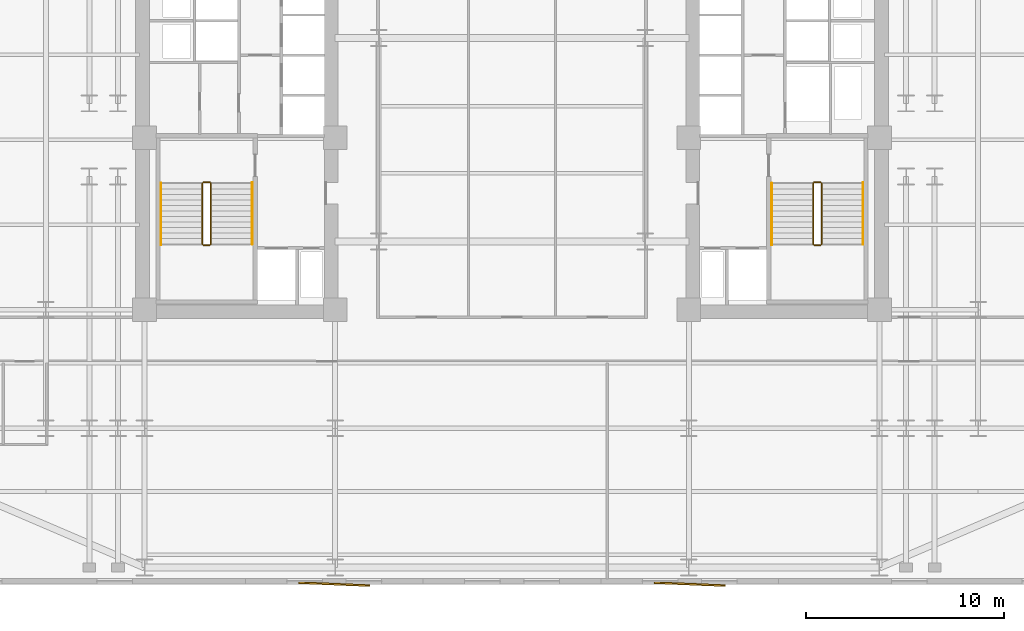
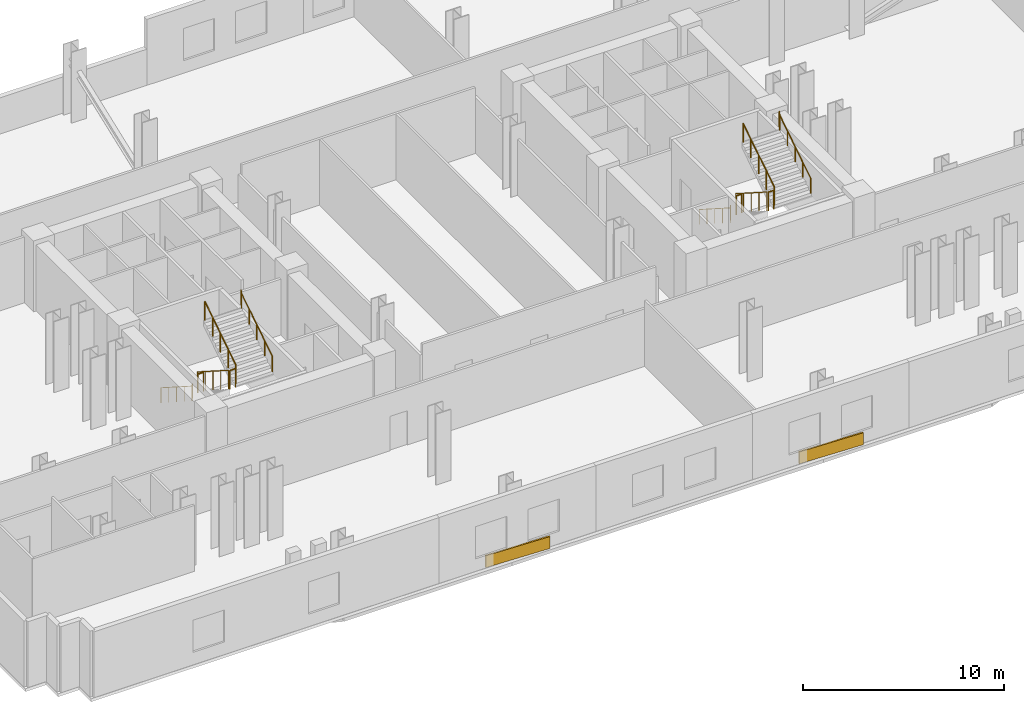
# One storey, part 8 of 9: 12 railings, 2 coverings.
"""IFC4 building model written with IfcOpenShell, lengths in metres."""

from ifc_helpers import new_model, si_unit, direction, frame, origin, origin_2d, place, context, subcontext, project, spatial, rectangle, circle, extrude, material, layer, layer_set, type_object, element, save


model = new_model("IFC4")

# Units and contexts
model_context = context("Model", 3, precision=1e-05, world=origin(), true_north=direction((0.0, 1.0)))
body_context = subcontext(model_context, "Body", "Model", "MODEL_VIEW")
ifc_project = project(units=[si_unit("LENGTHUNIT", "METRE"), si_unit("AREAUNIT", "SQUARE_METRE"), si_unit("VOLUMEUNIT", "CUBIC_METRE"), si_unit("PLANEANGLEUNIT", "RADIAN"), si_unit("MASSUNIT", "GRAM", prefix="KILO")], contexts=[model_context])

# Site, building, storey
site_placement = place(None, origin())
site = spatial("IfcSite", under=ifc_project, at=site_placement, CompositionType="ELEMENT")
building_placement = place(site_placement, origin())
building = spatial("IfcBuilding", under=site, at=building_placement, Name="Velakula Bourse", CompositionType="ELEMENT")
storey_placement = place(building_placement, frame((0.0, 0.0, 65.699951171875)))
storey = spatial("IfcBuildingStorey", under=building, at=storey_placement, Name="L17", CompositionType="ELEMENT", Elevation=65.699951171875)

# Coverings
ifc_material_1 = material(Name="Red kilned clay facing brick masonry", Category="masonry")
ifc_layer = layer(ifc_material_1, 0.090087890625, Name="Red kilned clay facing brick masonry", Category="masonry")
ifc_layer_set = layer_set([ifc_layer], Name="Red kilned clay facing brick masonry")
covering_type = type_object("IfcCoveringType", Name="COV-BRK-FOLD-90", PredefinedType="CLADDING", material=ifc_layer_set)
for number, where, z_axis, x_axis, name in (
    (1, (-9.0, -22.489990234375, 0.0), (0.0, 0.0, 1.0), (0.999158993058, -0.041003738744, 0.0), "L17 Folded Brick Facade Cladding Panel S-B2"),
    (2, (9.0, -22.489990234375, 0.0), (0.0, 0.0, 1.0), (0.999158993058, -0.041003738744, 0.0), "L17 Folded Brick Facade Cladding Panel S-B4"),
):
    element("IfcCovering", number, at=place(storey_placement, frame(where, z_axis=z_axis, x_axis=x_axis)), inside=storey, type_object=covering_type, Name=name, PredefinedType="CLADDING", context=body_context, shape_type="SweptSolid", body=[
        extrude(rectangle(XDim=3.60009765625, YDim=0.090087890625, at=origin_2d()), origin(), (0.0, 0.0, 1.0), 0.719970703125),
    ])

# Railings
ifc_material_2 = material(Name="Brushed grade 316 stainless steel", Category="steel")
railing_type_1 = type_object("IfcRailingType", Name="RLG-STAIR-GUARD-1150", PredefinedType="BALUSTRADE", material=ifc_material_2)
railing_1_placement = place(storey_placement, frame((-15.672119140625, -2.199951171875, 0.17919921875)))
element("IfcRailing", 3, at=railing_1_placement, inside=storey, type_object=railing_type_1, Name="L17 ST-W1 stair guard 1", PredefinedType="BALUSTRADE", context=body_context, shape_type="SweptSolid", body=[
    extrude(circle(Radius=0.02490234375, at=origin_2d()), frame((0.0, 0.0, 1.125), z_axis=(0.0, -0.842308987159, 0.53899496301), x_axis=(1.0, 0.0, 0.0)), (0.0, 0.0, 1.0), 3.65673828125),
    extrude(circle(Radius=0.02099609375, at=origin_2d()), origin(), (0.0, 0.0, 1.0), 1.099853515625),
    extrude(circle(Radius=0.02099609375, at=origin_2d()), frame((0.0, -0.77001953125, 0.49267578125)), (0.0, 0.0, 1.0), 1.099853515625),
    extrude(circle(Radius=0.02099609375, at=origin_2d()), frame((0.0, -1.5400390625, 0.9853515625)), (0.0, 0.0, 1.0), 1.099853515625),
    extrude(circle(Radius=0.02099609375, at=origin_2d()), frame((0.0, -2.31005859375, 1.478271484375)), (0.0, 0.0, 1.0), 1.099853515625),
    extrude(circle(Radius=0.02099609375, at=origin_2d()), frame((0.0, -3.080078125, 1.970947265625)), (0.0, 0.0, 1.0), 1.099853515625),
])
railing_2_placement = place(storey_placement, frame((-15.6220703125, -5.330078125, 2.150146484375)))
element("IfcRailing", 4, at=railing_2_placement, inside=storey, type_object=railing_type_1, Name="L17 ST-W1 stair guard 2", PredefinedType="BALUSTRADE", context=body_context, shape_type="SweptSolid", body=[
    extrude(circle(Radius=0.02490234375, at=origin_2d()), frame((0.0, 0.0, 1.125), z_axis=(1.0, 0.0, 0.0), x_axis=(0.0, 1.0, 0.0)), (0.0, 0.0, 1.0), 0.323974609375),
    extrude(circle(Radius=0.02099609375, at=origin_2d()), origin(), (0.0, 0.0, 1.0), 1.099853515625),
    extrude(circle(Radius=0.02099609375, at=origin_2d()), frame((0.323974609375, 0.0, 0.0)), (0.0, 0.0, 1.0), 1.099853515625),
])
railing_3_placement = place(storey_placement, frame((-15.248046875, -5.280029296875, 2.3291015625)))
element("IfcRailing", 5, at=railing_3_placement, inside=storey, type_object=railing_type_1, Name="L17 ST-W1 stair guard 3", PredefinedType="BALUSTRADE", context=body_context, shape_type="SweptSolid", body=[
    extrude(circle(Radius=0.02490234375, at=origin_2d()), frame((0.0, 0.0, 1.125), z_axis=(0.0, 0.842308987159, 0.53899496301), x_axis=(-1.0, 0.0, 0.0)), (0.0, 0.0, 1.0), 3.65673828125),
    extrude(circle(Radius=0.02099609375, at=origin_2d()), origin(), (0.0, 0.0, 1.0), 1.099853515625),
    extrude(circle(Radius=0.02099609375, at=origin_2d()), frame((0.0, 0.77001953125, 0.49267578125)), (0.0, 0.0, 1.0), 1.099853515625),
    extrude(circle(Radius=0.02099609375, at=origin_2d()), frame((0.0, 1.5400390625, 0.9853515625)), (0.0, 0.0, 1.0), 1.099853515625),
    extrude(circle(Radius=0.02099609375, at=origin_2d()), frame((0.0, 2.31005859375, 1.478271484375)), (0.0, 0.0, 1.0), 1.099853515625),
    extrude(circle(Radius=0.02099609375, at=origin_2d()), frame((0.0, 3.080078125, 1.970947265625)), (0.0, 0.0, 1.0), 1.099853515625),
])
railing_4_placement = place(storey_placement, frame((-15.6220703125, -2.14990234375, 0.0)))
element("IfcRailing", 6, at=railing_4_placement, inside=storey, type_object=railing_type_1, Name="L17 ST-W1 stair guard 4", PredefinedType="BALUSTRADE", context=body_context, shape_type="SweptSolid", body=[
    extrude(circle(Radius=0.02490234375, at=origin_2d()), frame((0.0, 0.0, 1.125), z_axis=(1.0, 0.0, 0.0), x_axis=(0.0, 1.0, 0.0)), (0.0, 0.0, 1.0), 0.323974609375),
    extrude(circle(Radius=0.02099609375, at=origin_2d()), origin(), (0.0, 0.0, 1.0), 1.099853515625),
    extrude(circle(Radius=0.02099609375, at=origin_2d()), frame((0.323974609375, 0.0, 0.0)), (0.0, 0.0, 1.0), 1.099853515625),
])
railing_5_placement = place(storey_placement, frame((15.248046875, -2.199951171875, 0.17919921875)))
element("IfcRailing", 7, at=railing_5_placement, inside=storey, type_object=railing_type_1, Name="L17 ST-E1 stair guard 1", PredefinedType="BALUSTRADE", context=body_context, shape_type="SweptSolid", body=[
    extrude(circle(Radius=0.02490234375, at=origin_2d()), frame((0.0, 0.0, 1.125), z_axis=(0.0, -0.842308987159, 0.53899496301), x_axis=(1.0, 0.0, 0.0)), (0.0, 0.0, 1.0), 3.65673828125),
    extrude(circle(Radius=0.02099609375, at=origin_2d()), origin(), (0.0, 0.0, 1.0), 1.099853515625),
    extrude(circle(Radius=0.02099609375, at=origin_2d()), frame((0.0, -0.77001953125, 0.49267578125)), (0.0, 0.0, 1.0), 1.099853515625),
    extrude(circle(Radius=0.02099609375, at=origin_2d()), frame((0.0, -1.5400390625, 0.9853515625)), (0.0, 0.0, 1.0), 1.099853515625),
    extrude(circle(Radius=0.02099609375, at=origin_2d()), frame((0.0, -2.31005859375, 1.478271484375)), (0.0, 0.0, 1.0), 1.099853515625),
    extrude(circle(Radius=0.02099609375, at=origin_2d()), frame((0.0, -3.080078125, 1.970947265625)), (0.0, 0.0, 1.0), 1.099853515625),
])
railing_6_placement = place(storey_placement, frame((15.298095703125, -5.330078125, 2.150146484375)))
element("IfcRailing", 8, at=railing_6_placement, inside=storey, type_object=railing_type_1, Name="L17 ST-E1 stair guard 2", PredefinedType="BALUSTRADE", context=body_context, shape_type="SweptSolid", body=[
    extrude(circle(Radius=0.02490234375, at=origin_2d()), frame((0.0, 0.0, 1.125), z_axis=(1.0, 0.0, 0.0), x_axis=(0.0, 1.0, 0.0)), (0.0, 0.0, 1.0), 0.323974609375),
    extrude(circle(Radius=0.02099609375, at=origin_2d()), origin(), (0.0, 0.0, 1.0), 1.099853515625),
    extrude(circle(Radius=0.02099609375, at=origin_2d()), frame((0.323974609375, 0.0, 0.0)), (0.0, 0.0, 1.0), 1.099853515625),
])
railing_7_placement = place(storey_placement, frame((15.672119140625, -5.280029296875, 2.3291015625)))
element("IfcRailing", 9, at=railing_7_placement, inside=storey, type_object=railing_type_1, Name="L17 ST-E1 stair guard 3", PredefinedType="BALUSTRADE", context=body_context, shape_type="SweptSolid", body=[
    extrude(circle(Radius=0.02490234375, at=origin_2d()), frame((0.0, 0.0, 1.125), z_axis=(0.0, 0.842308987159, 0.53899496301), x_axis=(-1.0, 0.0, 0.0)), (0.0, 0.0, 1.0), 3.65673828125),
    extrude(circle(Radius=0.02099609375, at=origin_2d()), origin(), (0.0, 0.0, 1.0), 1.099853515625),
    extrude(circle(Radius=0.02099609375, at=origin_2d()), frame((0.0, 0.77001953125, 0.49267578125)), (0.0, 0.0, 1.0), 1.099853515625),
    extrude(circle(Radius=0.02099609375, at=origin_2d()), frame((0.0, 1.5400390625, 0.9853515625)), (0.0, 0.0, 1.0), 1.099853515625),
    extrude(circle(Radius=0.02099609375, at=origin_2d()), frame((0.0, 2.31005859375, 1.478271484375)), (0.0, 0.0, 1.0), 1.099853515625),
    extrude(circle(Radius=0.02099609375, at=origin_2d()), frame((0.0, 3.080078125, 1.970947265625)), (0.0, 0.0, 1.0), 1.099853515625),
])
railing_8_placement = place(storey_placement, frame((15.298095703125, -2.14990234375, 0.0)))
element("IfcRailing", 10, at=railing_8_placement, inside=storey, type_object=railing_type_1, Name="L17 ST-E1 stair guard 4", PredefinedType="BALUSTRADE", context=body_context, shape_type="SweptSolid", body=[
    extrude(circle(Radius=0.02490234375, at=origin_2d()), frame((0.0, 0.0, 1.125), z_axis=(1.0, 0.0, 0.0), x_axis=(0.0, 1.0, 0.0)), (0.0, 0.0, 1.0), 0.323974609375),
    extrude(circle(Radius=0.02099609375, at=origin_2d()), origin(), (0.0, 0.0, 1.0), 1.099853515625),
    extrude(circle(Radius=0.02099609375, at=origin_2d()), frame((0.323974609375, 0.0, 0.0)), (0.0, 0.0, 1.0), 1.099853515625),
])
railing_type_2 = type_object("IfcRailingType", Name="RLG-STAIR-HAND-920", PredefinedType="HANDRAIL", material=ifc_material_2)
railing_9_placement = place(storey_placement, frame((-17.77001953125, -2.199951171875, 0.17919921875)))
element("IfcRailing", 11, at=railing_9_placement, inside=storey, type_object=railing_type_2, Name="L17 ST-W1 stair handrail 1", PredefinedType="HANDRAIL", context=body_context, shape_type="SweptSolid", body=[
    extrude(circle(Radius=0.02099609375, at=origin_2d()), frame((0.0, 0.0, 0.89892578125), z_axis=(0.0, -0.842308987159, 0.53899496301), x_axis=(1.0, 0.0, 0.0)), (0.0, 0.0, 1.0), 3.65673828125),
    extrude(circle(Radius=0.02099609375, at=origin_2d()), frame((0.0, -3.080078125, 2.869873046875), z_axis=(0.0, -0.218339886576, 0.975872785731), x_axis=(1.0, 0.0, 0.0)), (0.0, 0.0, 1.0), 0.183349609375),
    extrude(circle(Radius=0.02099609375, at=origin_2d()), frame((0.0, -3.1201171875, 3.048828125), z_axis=(0.0, -1.0, 0.0), x_axis=(1.0, 0.0, 0.0)), (0.0, 0.0, 1.0), 0.0048828125),
    extrude(circle(Radius=0.02099609375, at=origin_2d()), origin(), (0.0, 0.0, 1.0), 0.8779296875),
    extrude(circle(Radius=0.02099609375, at=origin_2d()), frame((0.0, -0.77001953125, 0.49267578125)), (0.0, 0.0, 1.0), 0.8779296875),
    extrude(circle(Radius=0.02099609375, at=origin_2d()), frame((0.0, -1.5400390625, 0.9853515625)), (0.0, 0.0, 1.0), 0.8779296875),
    extrude(circle(Radius=0.02099609375, at=origin_2d()), frame((0.0, -2.31005859375, 1.478271484375)), (0.0, 0.0, 1.0), 0.8779296875),
    extrude(circle(Radius=0.02099609375, at=origin_2d()), frame((0.0, -3.080078125, 1.970947265625)), (0.0, 0.0, 1.0), 0.8779296875),
    extrude(circle(Radius=0.02099609375, at=origin_2d()), frame((0.0, -3.1201171875, 2.14990234375)), (0.0, 0.0, 1.0), 0.8779296875),
    extrude(circle(Radius=0.02099609375, at=origin_2d()), frame((0.0, -3.125, 2.14990234375)), (0.0, 0.0, 1.0), 0.8779296875),
])
railing_10_placement = place(storey_placement, frame((-13.14990234375, -5.280029296875, 2.3291015625)))
element("IfcRailing", 12, at=railing_10_placement, inside=storey, type_object=railing_type_2, Name="L17 ST-W1 stair handrail 2", PredefinedType="HANDRAIL", context=body_context, shape_type="SweptSolid", body=[
    extrude(circle(Radius=0.02099609375, at=origin_2d()), frame((0.0, 0.0, 0.89892578125), z_axis=(0.0, 0.842308987159, 0.53899496301), x_axis=(-1.0, 0.0, 0.0)), (0.0, 0.0, 1.0), 3.65673828125),
    extrude(circle(Radius=0.02099609375, at=origin_2d()), frame((0.0, 3.080078125, 2.869873046875), z_axis=(0.0, 0.218056574081, 0.975936130338), x_axis=(-1.0, 0.0, 0.0)), (0.0, 0.0, 1.0), 0.18359375),
    extrude(circle(Radius=0.02099609375, at=origin_2d()), frame((0.0, 3.1201171875, 3.049072265625), z_axis=(0.0, 1.0, 0.0), x_axis=(-1.0, 0.0, 0.0)), (0.0, 0.0, 1.0), 0.0048828125),
    extrude(circle(Radius=0.02099609375, at=origin_2d()), origin(), (0.0, 0.0, 1.0), 0.8779296875),
    extrude(circle(Radius=0.02099609375, at=origin_2d()), frame((0.0, 0.77001953125, 0.49267578125)), (0.0, 0.0, 1.0), 0.8779296875),
    extrude(circle(Radius=0.02099609375, at=origin_2d()), frame((0.0, 1.5400390625, 0.9853515625)), (0.0, 0.0, 1.0), 0.8779296875),
    extrude(circle(Radius=0.02099609375, at=origin_2d()), frame((0.0, 2.31005859375, 1.478271484375)), (0.0, 0.0, 1.0), 0.8779296875),
    extrude(circle(Radius=0.02099609375, at=origin_2d()), frame((0.0, 3.080078125, 1.970947265625)), (0.0, 0.0, 1.0), 0.8779296875),
    extrude(circle(Radius=0.02099609375, at=origin_2d()), frame((0.0, 3.1201171875, 2.150146484375)), (0.0, 0.0, 1.0), 0.8779296875),
    extrude(circle(Radius=0.02099609375, at=origin_2d()), frame((0.0, 3.125, 2.150146484375)), (0.0, 0.0, 1.0), 0.8779296875),
])
railing_11_placement = place(storey_placement, frame((13.14990234375, -2.199951171875, 0.17919921875)))
element("IfcRailing", 13, at=railing_11_placement, inside=storey, type_object=railing_type_2, Name="L17 ST-E1 stair handrail 1", PredefinedType="HANDRAIL", context=body_context, shape_type="SweptSolid", body=[
    extrude(circle(Radius=0.02099609375, at=origin_2d()), frame((0.0, 0.0, 0.89892578125), z_axis=(0.0, -0.842308987159, 0.53899496301), x_axis=(1.0, 0.0, 0.0)), (0.0, 0.0, 1.0), 3.65673828125),
    extrude(circle(Radius=0.02099609375, at=origin_2d()), frame((0.0, -3.080078125, 2.869873046875), z_axis=(0.0, -0.218339886576, 0.975872785731), x_axis=(1.0, 0.0, 0.0)), (0.0, 0.0, 1.0), 0.183349609375),
    extrude(circle(Radius=0.02099609375, at=origin_2d()), frame((0.0, -3.1201171875, 3.048828125), z_axis=(0.0, -1.0, 0.0), x_axis=(1.0, 0.0, 0.0)), (0.0, 0.0, 1.0), 0.0048828125),
    extrude(circle(Radius=0.02099609375, at=origin_2d()), origin(), (0.0, 0.0, 1.0), 0.8779296875),
    extrude(circle(Radius=0.02099609375, at=origin_2d()), frame((0.0, -0.77001953125, 0.49267578125)), (0.0, 0.0, 1.0), 0.8779296875),
    extrude(circle(Radius=0.02099609375, at=origin_2d()), frame((0.0, -1.5400390625, 0.9853515625)), (0.0, 0.0, 1.0), 0.8779296875),
    extrude(circle(Radius=0.02099609375, at=origin_2d()), frame((0.0, -2.31005859375, 1.478271484375)), (0.0, 0.0, 1.0), 0.8779296875),
    extrude(circle(Radius=0.02099609375, at=origin_2d()), frame((0.0, -3.080078125, 1.970947265625)), (0.0, 0.0, 1.0), 0.8779296875),
    extrude(circle(Radius=0.02099609375, at=origin_2d()), frame((0.0, -3.1201171875, 2.14990234375)), (0.0, 0.0, 1.0), 0.8779296875),
    extrude(circle(Radius=0.02099609375, at=origin_2d()), frame((0.0, -3.125, 2.14990234375)), (0.0, 0.0, 1.0), 0.8779296875),
])
railing_12_placement = place(storey_placement, frame((17.77001953125, -5.280029296875, 2.3291015625)))
element("IfcRailing", 14, at=railing_12_placement, inside=storey, type_object=railing_type_2, Name="L17 ST-E1 stair handrail 2", PredefinedType="HANDRAIL", context=body_context, shape_type="SweptSolid", body=[
    extrude(circle(Radius=0.02099609375, at=origin_2d()), frame((0.0, 0.0, 0.89892578125), z_axis=(0.0, 0.842308987159, 0.53899496301), x_axis=(-1.0, 0.0, 0.0)), (0.0, 0.0, 1.0), 3.65673828125),
    extrude(circle(Radius=0.02099609375, at=origin_2d()), frame((0.0, 3.080078125, 2.869873046875), z_axis=(0.0, 0.218056574081, 0.975936130338), x_axis=(-1.0, 0.0, 0.0)), (0.0, 0.0, 1.0), 0.18359375),
    extrude(circle(Radius=0.02099609375, at=origin_2d()), frame((0.0, 3.1201171875, 3.049072265625), z_axis=(0.0, 1.0, 0.0), x_axis=(-1.0, 0.0, 0.0)), (0.0, 0.0, 1.0), 0.0048828125),
    extrude(circle(Radius=0.02099609375, at=origin_2d()), origin(), (0.0, 0.0, 1.0), 0.8779296875),
    extrude(circle(Radius=0.02099609375, at=origin_2d()), frame((0.0, 0.77001953125, 0.49267578125)), (0.0, 0.0, 1.0), 0.8779296875),
    extrude(circle(Radius=0.02099609375, at=origin_2d()), frame((0.0, 1.5400390625, 0.9853515625)), (0.0, 0.0, 1.0), 0.8779296875),
    extrude(circle(Radius=0.02099609375, at=origin_2d()), frame((0.0, 2.31005859375, 1.478271484375)), (0.0, 0.0, 1.0), 0.8779296875),
    extrude(circle(Radius=0.02099609375, at=origin_2d()), frame((0.0, 3.080078125, 1.970947265625)), (0.0, 0.0, 1.0), 0.8779296875),
    extrude(circle(Radius=0.02099609375, at=origin_2d()), frame((0.0, 3.1201171875, 2.150146484375)), (0.0, 0.0, 1.0), 0.8779296875),
    extrude(circle(Radius=0.02099609375, at=origin_2d()), frame((0.0, 3.125, 2.150146484375)), (0.0, 0.0, 1.0), 0.8779296875),
])

save(model, "model.ifc")
